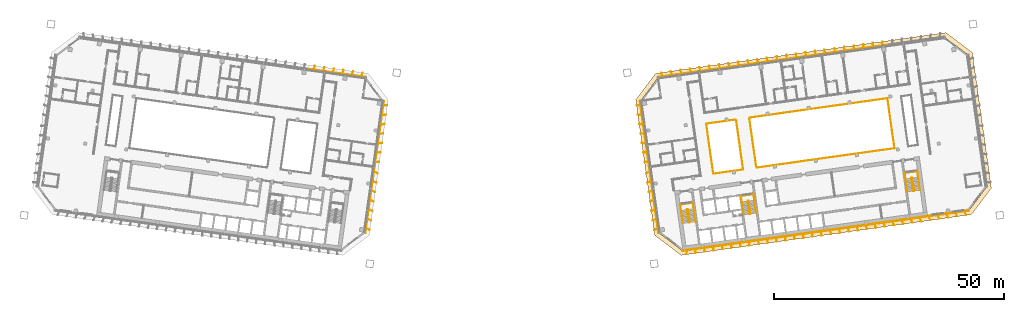
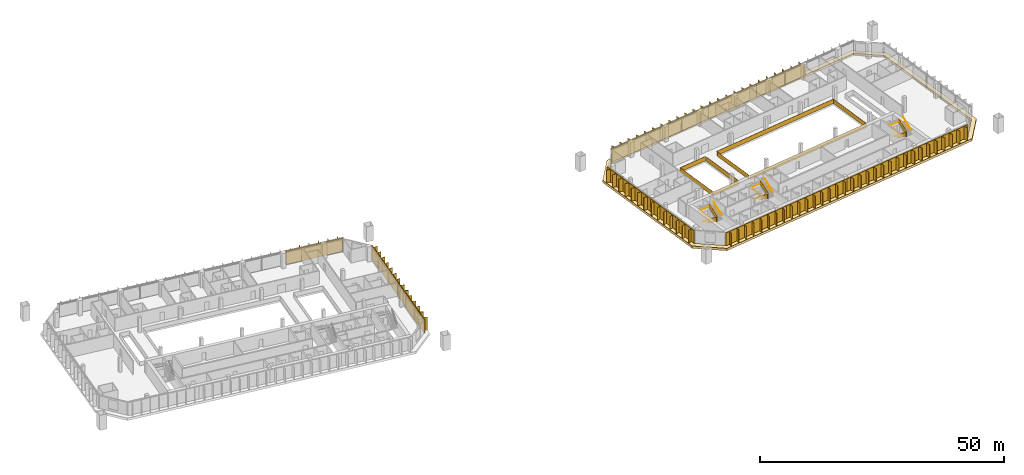
# One storey, part 24 of 25: 13 shading devices, 10 railings, 1 covering.
"""IFC4 building model written with IfcOpenShell, lengths in metres."""

from ifc_helpers import new_model, si_unit, direction, frame, origin, origin_2d, place, context, subcontext, project, spatial, polyline, rectangle, outline, extrude, material, layer, layer_set, type_object, element, save


model = new_model("IFC4")

# Units and contexts
model_context = context("Model", 3, precision=1e-05, world=origin(), true_north=direction((0.0, 1.0)))
body_context = subcontext(model_context, "Body", "Model", "MODEL_VIEW")
ifc_project = project(units=[si_unit("LENGTHUNIT", "METRE"), si_unit("AREAUNIT", "SQUARE_METRE"), si_unit("VOLUMEUNIT", "CUBIC_METRE"), si_unit("PLANEANGLEUNIT", "RADIAN"), si_unit("MASSUNIT", "GRAM", prefix="KILO")], contexts=[model_context])

# Site, building, storey
site_placement = place(None, origin())
site = spatial("IfcSite", under=ifc_project, at=site_placement, CompositionType="ELEMENT")
building_placement = place(site_placement, origin())
building = spatial("IfcBuilding", under=site, at=building_placement, Name="Mirante Cascada Hotel Towers", CompositionType="ELEMENT")
storey_placement = place(building_placement, frame((0.0, 0.0, 129.1)))
storey = spatial("IfcBuildingStorey", under=building, at=storey_placement, Name="L29", CompositionType="ELEMENT", Elevation=129.1)

# Railings
ifc_material_1 = material(Name="Toughened glass with stainless steel handrail", Category="steel")
railing_type_1 = type_object("IfcRailingType", Name="Atrium guard 1100 glass balustrade", PredefinedType="GUARDRAIL", material=ifc_material_1)
railing_1_placement = place(storey_placement, frame((48.76, 8.3112, 0.0)))
element("IfcRailing", 1, at=railing_1_placement, inside=storey, type_object=railing_type_1, Name="GUARD 2-L29-1", PredefinedType="GUARDRAIL", context=body_context, shape_type="SweptSolid", body=[
    extrude(rectangle(XDim=0.048, YDim=0.048, at=origin_2d()), frame((0.0, 0.0, 1.076), z_axis=(-0.9902694, -0.1391638, 0.0), x_axis=(0.1391638, -0.9902694, 0.0)), (0.0, 0.0, 1.0), 6.5125),
    extrude(rectangle(XDim=0.02, YDim=1.052, at=origin_2d()), frame((0.0, 0.0, 0.526), z_axis=(-0.9902694, -0.1391638, 0.0), x_axis=(0.1391638, -0.9902694, 0.0)), (0.0, 0.0, 1.0), 6.5125),
    extrude(rectangle(XDim=0.048, YDim=0.048, at=origin_2d()), frame((-6.4491, -0.9063, 1.076), z_axis=(0.1391721, -0.9902682, 0.0), x_axis=(0.9902682, 0.1391721, 0.0)), (0.0, 0.0, 1.0), 11.0001),
    extrude(rectangle(XDim=0.02, YDim=1.052, at=origin_2d()), frame((-6.4491, -0.9063, 0.526), z_axis=(0.1391721, -0.9902682, 0.0), x_axis=(0.9902682, 0.1391721, 0.0)), (0.0, 0.0, 1.0), 11.0001),
    extrude(rectangle(XDim=0.048, YDim=0.048, at=origin_2d()), frame((-4.9182, -11.7993, 1.076), z_axis=(0.9902673, 0.1391788, 0.0), x_axis=(-0.1391788, 0.9902673, 0.0)), (0.0, 0.0, 1.0), 6.5125),
    extrude(rectangle(XDim=0.02, YDim=1.052, at=origin_2d()), frame((-4.9182, -11.7993, 0.526), z_axis=(0.9902673, 0.1391788, 0.0), x_axis=(-0.1391788, 0.9902673, 0.0)), (0.0, 0.0, 1.0), 6.5125),
])
railing_2_placement = place(storey_placement, frame((53.2617, -2.1642, 0.0)))
element("IfcRailing", 2, at=railing_2_placement, inside=storey, type_object=railing_type_1, Name="GUARD 2-L29-2", PredefinedType="GUARDRAIL", context=body_context, shape_type="SweptSolid", body=[
    extrude(rectangle(XDim=0.048, YDim=0.048, at=origin_2d()), frame((0.0, 0.0, 1.076), z_axis=(0.9902682, 0.1391722, 0.0), x_axis=(-0.1391722, 0.9902682, 0.0)), (0.0, 0.0, 1.0), 30.325),
    extrude(rectangle(XDim=0.02, YDim=1.052, at=origin_2d()), frame((0.0, 0.0, 0.526), z_axis=(0.9902682, 0.1391722, 0.0), x_axis=(-0.1391722, 0.9902682, 0.0)), (0.0, 0.0, 1.0), 30.325),
    extrude(rectangle(XDim=0.048, YDim=0.048, at=origin_2d()), frame((30.0299, 4.2204, 1.076), z_axis=(-0.1391721, 0.9902682, 0.0), x_axis=(-0.9902682, -0.1391721, 0.0)), (0.0, 0.0, 1.0), 11.0001),
    extrude(rectangle(XDim=0.02, YDim=1.052, at=origin_2d()), frame((30.0299, 4.2204, 0.526), z_axis=(-0.1391721, 0.9902682, 0.0), x_axis=(-0.9902682, -0.1391721, 0.0)), (0.0, 0.0, 1.0), 11.0001),
    extrude(rectangle(XDim=0.048, YDim=0.048, at=origin_2d()), frame((28.499, 15.1134, 1.076), z_axis=(-0.9902682, -0.1391722, 0.0), x_axis=(0.1391722, -0.9902682, 0.0)), (0.0, 0.0, 1.0), 30.325),
    extrude(rectangle(XDim=0.02, YDim=1.052, at=origin_2d()), frame((28.499, 15.1134, 0.526), z_axis=(-0.9902682, -0.1391722, 0.0), x_axis=(0.1391722, -0.9902682, 0.0)), (0.0, 0.0, 1.0), 30.325),
])
railing_3_placement = place(storey_placement, frame((50.2983, -2.2822, 0.0)))
element("IfcRailing", 3, at=railing_3_placement, inside=storey, type_object=railing_type_1, Name="GUARD 2-L29-4", PredefinedType="GUARDRAIL", context=body_context, shape_type="SweptSolid", body=[
    extrude(rectangle(XDim=0.048, YDim=0.048, at=origin_2d()), frame((0.0, 0.0, 1.076), z_axis=(-0.1391708, 0.9902684, 0.0), x_axis=(-0.9902684, -0.1391708, 0.0)), (0.0, 0.0, 1.0), 10.4088),
    extrude(rectangle(XDim=0.02, YDim=1.052, at=origin_2d()), frame((0.0, 0.0, 0.526), z_axis=(-0.1391708, 0.9902684, 0.0), x_axis=(-0.9902684, -0.1391708, 0.0)), (0.0, 0.0, 1.0), 10.4088),
])
railing_4_placement = place(storey_placement, frame((51.7234, 8.4292, 0.0)))
element("IfcRailing", 4, at=railing_4_placement, inside=storey, type_object=railing_type_1, Name="GUARD 2-L29-5", PredefinedType="GUARDRAIL", context=body_context, shape_type="SweptSolid", body=[
    extrude(rectangle(XDim=0.048, YDim=0.048, at=origin_2d()), frame((0.0, 0.0, 1.076), z_axis=(0.1391721, -0.9902682, 0.0), x_axis=(0.9902682, 0.1391721, 0.0)), (0.0, 0.0, 1.0), 10.4087),
    extrude(rectangle(XDim=0.02, YDim=1.052, at=origin_2d()), frame((0.0, 0.0, 0.526), z_axis=(0.1391721, -0.9902682, 0.0), x_axis=(0.9902682, 0.1391721, 0.0)), (0.0, 0.0, 1.0), 10.4087),
])

# Covering
ifc_material_2 = material(Name="Precast concrete C40/50 white", Category="concrete")
ifc_layer = layer(ifc_material_2, 0.6)
ifc_layer_set = layer_set([ifc_layer], Name="Precast concrete SUNSHADE band 1000x600")
covering_type = type_object("IfcCoveringType", Name="Precast concrete SUNSHADE band 1000x600", PredefinedType="CLADDING", material=ifc_layer_set)
covering_placement = place(storey_placement, frame((0.0, 0.0, -0.45)))
element("IfcCovering", 5, at=covering_placement, inside=storey, type_object=covering_type, Name="Precast concrete SUNSHADE band T2 L29", PredefinedType="CLADDING", context=body_context, shape_type="SweptSolid", body=[
    extrude(outline(polyline([(26.9341, 12.6299), (31.2626, 18.374), (94.4698, 27.2572), (100.2139, 22.9287), (101.1216, 16.4704), (101.1153, 16.4458), (101.1082, 16.3992), (101.1057, 16.3522), (101.1078, 16.3051), (101.1302, 16.0686), (101.137, 16.022), (101.1482, 15.9763), (101.1639, 15.9319), (101.1839, 15.8892), (101.208, 15.8487), (101.2092, 15.8471), (103.37, 0.4721), (103.3693, 0.4703), (103.3573, 0.4247), (103.3499, 0.3782), (103.347, 0.3312), (103.3488, 0.2841), (103.3552, 0.2375), (103.3988, 0.004), (103.4097, -0.0419), (103.4251, -0.0864), (103.4447, -0.1292), (103.4576, -0.1512), (104.3652, -6.6094), (100.0367, -12.3535), (36.8295, -21.2367), (31.0854, -16.9082), (26.9341, 12.6299)]), holes=[polyline([(103.3173, -6.3384), (99.2813, 22.3794), (94.1988, 26.2093), (31.8119, 17.4414), (27.982, 12.3589), (32.018, -16.3589), (37.1005, -20.1888), (99.4874, -11.4209), (103.3173, -6.3384)])]), origin(), (0.0, 0.0, 1.0), 0.6),
])

# Railings
ifc_material_3 = material(Name="Painted steel", Category="steel")
railing_type_2 = type_object("IfcRailingType", Name="Stair guard 1100 steel balustrade", PredefinedType="GUARDRAIL", material=ifc_material_3)
railing_5_placement = place(storey_placement, frame((38.2663, -11.2395, 0.0)))
element("IfcRailing", 6, at=railing_5_placement, inside=storey, type_object=railing_type_2, Name="L29 ST2-A stair guard 1", PredefinedType="GUARDRAIL", context=body_context, shape_type="SweptSolid", body=[
    extrude(rectangle(XDim=0.048, YDim=0.048, at=origin_2d()), frame((0.0, 0.0, 1.076), z_axis=(-0.9903326, -0.1387133, 0.0), x_axis=(0.1387133, -0.9903326, 0.0)), (0.0, 0.0, 1.0), 0.1499),
    extrude(rectangle(XDim=0.02, YDim=1.052, at=origin_2d()), frame((0.0, 0.0, 0.526), z_axis=(-0.9903326, -0.1387133, 0.0), x_axis=(0.1387133, -0.9903326, 0.0)), (0.0, 0.0, 1.0), 0.1499),
    extrude(rectangle(XDim=0.048, YDim=0.048, at=origin_2d()), frame((-0.1485, -0.0208, 1.076), z_axis=(-0.6020331, -0.7984711, 0.0), x_axis=(0.7984711, -0.6020331, 0.0)), (0.0, 0.9253398, 0.3791387), 0.1866),
    extrude(rectangle(XDim=0.02, YDim=1.052, at=origin_2d()), frame((-0.1485, -0.0208, 0.526), z_axis=(-0.6020331, -0.7984711, 0.0), x_axis=(0.7984711, -0.6020331, 0.0)), (0.0, 0.9253398, 0.3791387), 0.1866),
    extrude(rectangle(XDim=0.048, YDim=0.048, at=origin_2d()), frame((-0.1911, -0.0773, 1.2487), z_axis=(0.139176, -0.9902677, 0.0), x_axis=(0.9902677, 0.139176, 0.0)), (0.0, 0.5250212, 0.8510891), 3.29),
    extrude(rectangle(XDim=0.02, YDim=1.052, at=origin_2d()), frame((-0.1911, -0.0773, 0.6987), z_axis=(0.139176, -0.9902677, 0.0), x_axis=(0.9902677, 0.139176, 0.0)), (0.0, 0.5250212, 0.8510891), 3.29),
    extrude(rectangle(XDim=0.048, YDim=0.048, at=origin_2d()), frame((0.1986, -2.8501, 2.976), z_axis=(0.9944948, -0.1047858, 0.0), x_axis=(0.1047858, 0.9944948, 0.0)), (0.0, 0.0, 1.0), 0.2061),
    extrude(rectangle(XDim=0.02, YDim=1.052, at=origin_2d()), frame((0.1986, -2.8501, 2.426), z_axis=(0.9944948, -0.1047858, 0.0), x_axis=(0.1047858, 0.9944948, 0.0)), (0.0, 0.0, 1.0), 0.2061),
    extrude(rectangle(XDim=0.048, YDim=0.048, at=origin_2d()), frame((0.4036, -2.8717, 2.976), z_axis=(-0.9902408, -0.1393672, 0.0), x_axis=(0.1393672, -0.9902408, 0.0)), (0.0, 0.0, 1.0), 0.15),
    extrude(rectangle(XDim=0.02, YDim=1.052, at=origin_2d()), frame((0.4036, -2.8717, 2.426), z_axis=(-0.9902408, -0.1393672, 0.0), x_axis=(0.1393672, -0.9902408, 0.0)), (0.0, 0.0, 1.0), 0.15),
    extrude(rectangle(XDim=0.048, YDim=0.048, at=origin_2d()), frame((0.2551, -2.8926, 2.976), z_axis=(0.9270311, 0.3749843, 0.0), x_axis=(-0.3749843, 0.9270311, 0.0)), (0.0, 0.6421903, 0.7665452), 0.2689),
    extrude(rectangle(XDim=0.02, YDim=1.052, at=origin_2d()), frame((0.2551, -2.8926, 2.426), z_axis=(0.9270311, 0.3749843, 0.0), x_axis=(-0.3749843, 0.9270311, 0.0)), (0.0, 0.6421903, 0.7665452), 0.2689),
    extrude(rectangle(XDim=0.048, YDim=0.048, at=origin_2d()), frame((0.4462, -2.8153, 3.1487), z_axis=(-0.139176, 0.9902677, 0.0), x_axis=(-0.9902677, -0.139176, 0.0)), (0.0, 0.5250212, 0.8510891), 3.29),
    extrude(rectangle(XDim=0.02, YDim=1.052, at=origin_2d()), frame((0.4462, -2.8153, 2.5987), z_axis=(-0.139176, 0.9902677, 0.0), x_axis=(-0.9902677, -0.139176, 0.0)), (0.0, 0.5250212, 0.8510891), 3.29),
])
railing_6_placement = place(storey_placement, frame((51.4864, -9.3815, 0.0)))
element("IfcRailing", 7, at=railing_6_placement, inside=storey, type_object=railing_type_2, Name="L29 ST2-B stair guard 1", PredefinedType="GUARDRAIL", context=body_context, shape_type="SweptSolid", body=[
    extrude(rectangle(XDim=0.048, YDim=0.048, at=origin_2d()), frame((0.0, 0.0, 1.076), z_axis=(-0.9902408, -0.1393672, 0.0), x_axis=(0.1393672, -0.9902408, 0.0)), (0.0, 0.0, 1.0), 0.15),
    extrude(rectangle(XDim=0.02, YDim=1.052, at=origin_2d()), frame((0.0, 0.0, 0.526), z_axis=(-0.9902408, -0.1393672, 0.0), x_axis=(0.1393672, -0.9902408, 0.0)), (0.0, 0.0, 1.0), 0.15),
    extrude(rectangle(XDim=0.048, YDim=0.048, at=origin_2d()), frame((-0.1485, -0.0209, 1.076), z_axis=(-0.6020331, -0.7984711, 0.0), x_axis=(0.7984711, -0.6020331, 0.0)), (0.0, 0.9253398, 0.3791387), 0.1866),
    extrude(rectangle(XDim=0.02, YDim=1.052, at=origin_2d()), frame((-0.1485, -0.0209, 0.526), z_axis=(-0.6020331, -0.7984711, 0.0), x_axis=(0.7984711, -0.6020331, 0.0)), (0.0, 0.9253398, 0.3791387), 0.1866),
    extrude(rectangle(XDim=0.048, YDim=0.048, at=origin_2d()), frame((-0.1911, -0.0774, 1.2487), z_axis=(0.139181, -0.990267, 0.0), x_axis=(0.990267, 0.139181, 0.0)), (0.0, 0.5250347, 0.8510808), 3.2899),
    extrude(rectangle(XDim=0.02, YDim=1.052, at=origin_2d()), frame((-0.1911, -0.0774, 0.6987), z_axis=(0.139181, -0.990267, 0.0), x_axis=(0.990267, 0.139181, 0.0)), (0.0, 0.5250347, 0.8510808), 3.2899),
    extrude(rectangle(XDim=0.048, YDim=0.048, at=origin_2d()), frame((0.1986, -2.8501, 2.976), z_axis=(0.9944441, -0.1052656, 0.0), x_axis=(0.1052656, 0.9944441, 0.0)), (0.0, 0.0, 1.0), 0.2061),
    extrude(rectangle(XDim=0.02, YDim=1.052, at=origin_2d()), frame((0.1986, -2.8501, 2.426), z_axis=(0.9944441, -0.1052656, 0.0), x_axis=(0.1052656, 0.9944441, 0.0)), (0.0, 0.0, 1.0), 0.2061),
    extrude(rectangle(XDim=0.048, YDim=0.048, at=origin_2d()), frame((0.4036, -2.8718, 2.976), z_axis=(-0.9902408, -0.1393672, 0.0), x_axis=(0.1393672, -0.9902408, 0.0)), (0.0, 0.0, 1.0), 0.15),
    extrude(rectangle(XDim=0.02, YDim=1.052, at=origin_2d()), frame((0.4036, -2.8718, 2.426), z_axis=(-0.9902408, -0.1393672, 0.0), x_axis=(0.1393672, -0.9902408, 0.0)), (0.0, 0.0, 1.0), 0.15),
    extrude(rectangle(XDim=0.048, YDim=0.048, at=origin_2d()), frame((0.2551, -2.8927, 2.976), z_axis=(0.9268624, 0.3754011, 0.0), x_axis=(-0.3754011, 0.9268624, 0.0)), (0.0, 0.6421217, 0.7666028), 0.269),
    extrude(rectangle(XDim=0.02, YDim=1.052, at=origin_2d()), frame((0.2551, -2.8927, 2.426), z_axis=(0.9268624, 0.3754011, 0.0), x_axis=(-0.3754011, 0.9268624, 0.0)), (0.0, 0.6421217, 0.7666028), 0.269),
    extrude(rectangle(XDim=0.048, YDim=0.048, at=origin_2d()), frame((0.4462, -2.8153, 3.1487), z_axis=(-0.139181, 0.990267, 0.0), x_axis=(-0.990267, -0.139181, 0.0)), (0.0, 0.5250347, 0.8510808), 3.2899),
    extrude(rectangle(XDim=0.02, YDim=1.052, at=origin_2d()), frame((0.4462, -2.8153, 2.5987), z_axis=(-0.139181, 0.990267, 0.0), x_axis=(-0.990267, -0.139181, 0.0)), (0.0, 0.5250347, 0.8510808), 3.2899),
])
railing_7_placement = place(storey_placement, frame((87.1361, -4.3713, 0.0)))
element("IfcRailing", 8, at=railing_7_placement, inside=storey, type_object=railing_type_2, Name="L29 ST2-C stair guard 1", PredefinedType="GUARDRAIL", context=body_context, shape_type="SweptSolid", body=[
    extrude(rectangle(XDim=0.048, YDim=0.048, at=origin_2d()), frame((0.0, 0.0, 1.076), z_axis=(-0.9902537, -0.1392753, 0.0), x_axis=(0.1392753, -0.9902537, 0.0)), (0.0, 0.0, 1.0), 0.1501),
    extrude(rectangle(XDim=0.02, YDim=1.052, at=origin_2d()), frame((0.0, 0.0, 0.526), z_axis=(-0.9902537, -0.1392753, 0.0), x_axis=(0.1392753, -0.9902537, 0.0)), (0.0, 0.0, 1.0), 0.1501),
    extrude(rectangle(XDim=0.048, YDim=0.048, at=origin_2d()), frame((-0.1486, -0.0209, 1.076), z_axis=(-0.601811, -0.7986386, 0.0), x_axis=(0.7986386, -0.601811, 0.0)), (0.0, 0.925603, 0.3784959), 0.1866),
    extrude(rectangle(XDim=0.02, YDim=1.052, at=origin_2d()), frame((-0.1486, -0.0209, 0.526), z_axis=(-0.601811, -0.7986386, 0.0), x_axis=(0.7986386, -0.601811, 0.0)), (0.0, 0.925603, 0.3784959), 0.1866),
    extrude(rectangle(XDim=0.048, YDim=0.048, at=origin_2d()), frame((-0.1911, -0.0773, 1.2487), z_axis=(0.139176, -0.9902677, 0.0), x_axis=(0.9902677, 0.139176, 0.0)), (0.0, 0.5250212, 0.8510891), 3.29),
    extrude(rectangle(XDim=0.02, YDim=1.052, at=origin_2d()), frame((-0.1911, -0.0773, 0.6987), z_axis=(0.139176, -0.9902677, 0.0), x_axis=(0.9902677, 0.139176, 0.0)), (0.0, 0.5250212, 0.8510891), 3.29),
    extrude(rectangle(XDim=0.048, YDim=0.048, at=origin_2d()), frame((0.1986, -2.8501, 2.976), z_axis=(0.9944441, -0.1052656, 0.0), x_axis=(0.1052656, 0.9944441, 0.0)), (0.0, 0.0, 1.0), 0.2061),
    extrude(rectangle(XDim=0.02, YDim=1.052, at=origin_2d()), frame((0.1986, -2.8501, 2.426), z_axis=(0.9944441, -0.1052656, 0.0), x_axis=(0.1052656, 0.9944441, 0.0)), (0.0, 0.0, 1.0), 0.2061),
    extrude(rectangle(XDim=0.048, YDim=0.048, at=origin_2d()), frame((0.4036, -2.8718, 2.976), z_axis=(-0.9903454, -0.1386217, 0.0), x_axis=(0.1386217, -0.9903454, 0.0)), (0.0, 0.0, 1.0), 0.15),
    extrude(rectangle(XDim=0.02, YDim=1.052, at=origin_2d()), frame((0.4036, -2.8718, 2.426), z_axis=(-0.9903454, -0.1386217, 0.0), x_axis=(0.1386217, -0.9903454, 0.0)), (0.0, 0.0, 1.0), 0.15),
    extrude(rectangle(XDim=0.048, YDim=0.048, at=origin_2d()), frame((0.255, -2.8926, 2.976), z_axis=(0.9270311, 0.3749843, 0.0), x_axis=(-0.3749843, 0.9270311, 0.0)), (0.0, 0.6421903, 0.7665452), 0.2689),
    extrude(rectangle(XDim=0.02, YDim=1.052, at=origin_2d()), frame((0.255, -2.8926, 2.426), z_axis=(0.9270311, 0.3749843, 0.0), x_axis=(-0.3749843, 0.9270311, 0.0)), (0.0, 0.6421903, 0.7665452), 0.2689),
    extrude(rectangle(XDim=0.048, YDim=0.048, at=origin_2d()), frame((0.4461, -2.8153, 3.1487), z_axis=(-0.139176, 0.9902677, 0.0), x_axis=(-0.9902677, -0.139176, 0.0)), (0.0, 0.5250212, 0.8510891), 3.29),
    extrude(rectangle(XDim=0.02, YDim=1.052, at=origin_2d()), frame((0.4461, -2.8153, 2.5987), z_axis=(-0.139176, 0.9902677, 0.0), x_axis=(-0.9902677, -0.139176, 0.0)), (0.0, 0.5250212, 0.8510891), 3.29),
])
ifc_material_4 = material(Name="Painted steel", Category="steel")
railing_type_3 = type_object("IfcRailingType", Name="Stair handrail 900 steel tube", PredefinedType="HANDRAIL", material=ifc_material_4)
railing_8_placement = place(storey_placement, frame((36.8374, -11.4908, 0.1727)))
element("IfcRailing", 9, at=railing_8_placement, inside=storey, type_object=railing_type_3, Name="L29 ST2-A stair handrail 1", PredefinedType="HANDRAIL", context=body_context, shape_type="SweptSolid", body=[
    extrude(rectangle(XDim=0.048, YDim=0.048, at=origin_2d()), frame((0.0, 0.0, 0.876), z_axis=(0.139181, -0.990267, 0.0), x_axis=(0.990267, 0.139181, 0.0)), (0.0, 0.5250347, 0.8510808), 3.2899),
    extrude(rectangle(XDim=0.048, YDim=0.048, at=origin_2d()), frame((0.3897, -2.7727, 2.6033), z_axis=(-0.1391707, 0.9902684, 0.0), x_axis=(-0.9902684, -0.1391707, 0.0)), (0.0, 0.0420846, 0.999114), 4.1036),
    extrude(rectangle(XDim=0.048, YDim=0.048, at=origin_2d()), frame((-0.1809, 1.2874, 2.776), z_axis=(0.9902691, 0.1391657, 0.0), x_axis=(-0.1391657, 0.9902691, 0.0)), (0.0, 0.0, 1.0), 2.75),
    extrude(rectangle(XDim=0.048, YDim=0.048, at=origin_2d()), frame((2.5423, 1.6701, 2.776), z_axis=(0.1391707, -0.9902684, 0.0), x_axis=(0.9902684, 0.1391707, 0.0)), (0.0, 0.0, 1.0), 4.1),
    extrude(rectangle(XDim=0.048, YDim=0.048, at=origin_2d()), frame((3.1129, -2.39, 2.776), z_axis=(-0.139181, 0.990267, 0.0), x_axis=(-0.990267, -0.139181, 0.0)), (0.0, 0.5250347, 0.8510808), 3.2899),
])
railing_9_placement = place(storey_placement, frame((50.0575, -9.6328, 0.1727)))
element("IfcRailing", 10, at=railing_9_placement, inside=storey, type_object=railing_type_3, Name="L29 ST2-B stair handrail 1", PredefinedType="HANDRAIL", context=body_context, shape_type="SweptSolid", body=[
    extrude(rectangle(XDim=0.048, YDim=0.048, at=origin_2d()), frame((0.0, 0.0, 0.876), z_axis=(0.139176, -0.9902677, 0.0), x_axis=(0.9902677, 0.139176, 0.0)), (0.0, 0.5250212, 0.8510891), 3.29),
    extrude(rectangle(XDim=0.048, YDim=0.048, at=origin_2d()), frame((0.3897, -2.7728, 2.6033), z_axis=(-0.1391707, 0.9902684, 0.0), x_axis=(-0.9902684, -0.1391707, 0.0)), (0.0, 0.0420846, 0.999114), 4.1036),
    extrude(rectangle(XDim=0.048, YDim=0.048, at=origin_2d()), frame((-0.1809, 1.2873, 2.776), z_axis=(0.9902641, 0.1392013, 0.0), x_axis=(-0.1392013, 0.9902641, 0.0)), (0.0, 0.0, 1.0), 2.75),
    extrude(rectangle(XDim=0.048, YDim=0.048, at=origin_2d()), frame((2.5423, 1.6701, 2.776), z_axis=(0.1391707, -0.9902684, 0.0), x_axis=(0.9902684, 0.1391707, 0.0)), (0.0, 0.0, 1.0), 4.1),
    extrude(rectangle(XDim=0.048, YDim=0.048, at=origin_2d()), frame((3.1129, -2.39, 2.776), z_axis=(-0.139181, 0.990267, 0.0), x_axis=(-0.990267, -0.139181, 0.0)), (0.0, 0.5250347, 0.8510808), 3.2899),
])
railing_10_placement = place(storey_placement, frame((85.7071, -4.6226, 0.1727)))
element("IfcRailing", 11, at=railing_10_placement, inside=storey, type_object=railing_type_3, Name="L29 ST2-C stair handrail 1", PredefinedType="HANDRAIL", context=body_context, shape_type="SweptSolid", body=[
    extrude(rectangle(XDim=0.048, YDim=0.048, at=origin_2d()), frame((0.0, 0.0, 0.876), z_axis=(0.139181, -0.990267, 0.0), x_axis=(0.990267, 0.139181, 0.0)), (0.0, 0.5250347, 0.8510808), 3.2899),
    extrude(rectangle(XDim=0.048, YDim=0.048, at=origin_2d()), frame((0.3897, -2.7727, 2.6033), z_axis=(-0.1391707, 0.9902684, 0.0), x_axis=(-0.9902684, -0.1391707, 0.0)), (0.0, 0.0420846, 0.999114), 4.1036),
    extrude(rectangle(XDim=0.048, YDim=0.048, at=origin_2d()), frame((-0.1809, 1.2874, 2.776), z_axis=(0.9902691, 0.1391657, 0.0), x_axis=(-0.1391657, 0.9902691, 0.0)), (0.0, 0.0, 1.0), 2.75),
    extrude(rectangle(XDim=0.048, YDim=0.048, at=origin_2d()), frame((2.5423, 1.6701, 2.776), z_axis=(0.1391947, -0.990265, 0.0), x_axis=(0.990265, 0.1391947, 0.0)), (0.0, 0.0, 1.0), 4.1),
    extrude(rectangle(XDim=0.048, YDim=0.048, at=origin_2d()), frame((3.113, -2.39, 2.776), z_axis=(-0.139181, 0.990267, 0.0), x_axis=(-0.990267, -0.139181, 0.0)), (0.0, 0.5250347, 0.8510808), 3.2899),
])

# Shading devices
ifc_material_5 = material(Name="White precast concrete C50/60 fin", Category="concrete")
shading_device_type = type_object("IfcShadingDeviceType", Name="Vertical fin set 4500x900", PredefinedType="USERDEFINED", material=ifc_material_5)
shading_device_1_placement = place(storey_placement, origin())
element("IfcShadingDevice", 12, at=shading_device_1_placement, inside=storey, type_object=shading_device_type, Name="FIN T1 L29 front 5", ObjectType="FIN", PredefinedType="USERDEFINED", context=body_context, shape_type="SweptSolid", body=[
    extrude(outline(polyline([(-32.4493, 18.4994), (-32.7765, 17.7284), (-31.791, 17.5899), (-31.8119, 17.4414), (-44.2893, 19.195), (-44.2684, 19.3435), (-43.2564, 19.2013), (-42.9208, 19.9919), (-42.8471, 19.9607), (-43.1744, 19.1897), (-41.1768, 18.909), (-40.8412, 19.6997), (-40.7676, 19.6684), (-41.0948, 18.8975), (-39.0973, 18.6167), (-38.7616, 19.4074), (-38.688, 19.3761), (-39.0152, 18.6052), (-37.0177, 18.3245), (-36.6821, 19.1151), (-36.6084, 19.0839), (-36.9357, 18.3129), (-34.9381, 18.0322), (-34.6025, 18.8229), (-34.5289, 18.7916), (-34.8561, 18.0207), (-32.8586, 17.7399), (-32.5229, 18.5306), (-32.4493, 18.4994)])), origin(), (0.0, 0.0, 1.0), 3.35),
])
shading_device_2_placement = place(storey_placement, origin())
element("IfcShadingDevice", 13, at=shading_device_2_placement, inside=storey, type_object=shading_device_type, Name="FIN T1 L29 inner 1", ObjectType="FIN", PredefinedType="USERDEFINED", context=body_context, shape_type="SweptSolid", body=[
    extrude(outline(polyline([(-29.7112, -1.023), (-29.8515, -2.0209), (-30.0, -2.0), (-27.982, 12.3589), (-27.8334, 12.338), (-27.97, 11.3667), (-27.1387, 11.4687), (-27.1289, 11.3893), (-27.9815, 11.2846), (-28.2583, 9.3154), (-27.427, 9.4174), (-27.4172, 9.338), (-28.2698, 9.2334), (-28.5465, 7.2641), (-27.7153, 7.3662), (-27.7055, 7.2868), (-28.5581, 7.1821), (-28.8348, 5.2128), (-28.0036, 5.3149), (-27.9938, 5.2355), (-28.8464, 5.1308), (-29.1231, 3.1616), (-28.2918, 3.2636), (-28.2821, 3.1842), (-29.1346, 3.0796), (-29.4114, 1.1103), (-28.5801, 1.2124), (-28.5704, 1.133), (-29.4229, 1.0283), (-29.6997, -0.941), (-28.8684, -0.8389), (-28.8587, -0.9183), (-29.7112, -1.023)])), origin(), (0.0, 0.0, 1.0), 3.35),
])
shading_device_3_placement = place(storey_placement, origin())
element("IfcShadingDevice", 14, at=shading_device_3_placement, inside=storey, type_object=shading_device_type, Name="FIN T1 L29 inner 2", ObjectType="FIN", PredefinedType="USERDEFINED", context=body_context, shape_type="SweptSolid", body=[
    extrude(outline(polyline([(-31.733, -15.4084), (-31.8695, -16.3798), (-32.018, -16.3589), (-30.0, -2.0), (-29.8515, -2.0209), (-29.9917, -3.0188), (-29.201, -3.3544), (-29.2323, -3.428), (-30.0032, -3.1008), (-30.28, -5.07), (-29.4893, -5.4057), (-29.5206, -5.4793), (-30.2915, -5.1521), (-30.5683, -7.1213), (-29.7776, -7.4569), (-29.8089, -7.5306), (-30.5798, -7.2033), (-30.8566, -9.1726), (-30.0659, -9.5082), (-30.0972, -9.5818), (-30.8681, -9.2546), (-31.1449, -11.2238), (-30.3542, -11.5595), (-30.3854, -11.6331), (-31.1564, -11.3059), (-31.4331, -13.2751), (-30.6425, -13.6107), (-30.6737, -13.6844), (-31.4447, -13.3571), (-31.7214, -15.3264), (-30.9308, -15.662), (-30.962, -15.7356), (-31.733, -15.4084)])), origin(), (0.0, 0.0, 1.0), 3.35),
])
shading_device_4_placement = place(storey_placement, origin())
element("IfcShadingDevice", 15, at=shading_device_4_placement, inside=storey, type_object=shading_device_type, Name="FIN T2 L29 front 2", ObjectType="FIN", PredefinedType="USERDEFINED", context=body_context, shape_type="SweptSolid", body=[
    extrude(outline(polyline([(70.3021, 23.8476), (70.3094, 23.0033), (72.3091, 23.2844), (72.3016, 24.1392), (72.3816, 24.1399), (72.389, 23.2956), (74.3886, 23.5766), (74.3812, 24.4314), (74.4612, 24.4321), (74.4686, 23.5878), (76.4682, 23.8689), (76.4608, 24.7237), (76.5407, 24.7244), (76.5481, 23.8801), (78.5478, 24.1611), (78.5403, 25.0159), (78.6203, 25.0166), (78.6277, 24.1724), (80.6273, 24.4534), (80.6199, 25.3082), (80.6999, 25.3089), (80.7072, 24.4646), (81.7006, 24.6042), (81.7214, 24.4557), (69.2441, 22.7021), (69.2232, 22.8507), (70.2295, 22.9921), (70.2221, 23.8469), (70.3021, 23.8476)])), origin(), (0.0, 0.0, 1.0), 3.35),
])
shading_device_5_placement = place(storey_placement, origin())
element("IfcShadingDevice", 16, at=shading_device_5_placement, inside=storey, type_object=shading_device_type, Name="FIN T2 L29 front 3", ObjectType="FIN", PredefinedType="USERDEFINED", context=body_context, shape_type="SweptSolid", body=[
    extrude(outline(polyline([(57.7069, 22.0905), (57.8252, 21.2488), (59.8255, 21.5299), (59.7072, 22.3716), (59.7865, 22.3828), (59.9048, 21.541), (61.9051, 21.8222), (61.7868, 22.6639), (61.866, 22.675), (61.9843, 21.8333), (63.9847, 22.1144), (63.8664, 22.9562), (63.9456, 22.9673), (64.0639, 22.1256), (66.0642, 22.4067), (65.9459, 23.2484), (66.0251, 23.2596), (66.1434, 22.4178), (68.1438, 22.699), (68.0255, 23.5407), (68.1047, 23.5518), (68.223, 22.7101), (69.2232, 22.8507), (69.2441, 22.7021), (56.7667, 20.9485), (56.7458, 21.0971), (57.746, 21.2376), (57.6277, 22.0794), (57.7069, 22.0905)])), origin(), (0.0, 0.0, 1.0), 3.35),
])
shading_device_6_placement = place(storey_placement, origin())
element("IfcShadingDevice", 17, at=shading_device_6_placement, inside=storey, type_object=shading_device_type, Name="FIN T2 L29 front 4", ObjectType="FIN", PredefinedType="USERDEFINED", context=body_context, shape_type="SweptSolid", body=[
    extrude(outline(polyline([(45.1132, 20.3181), (45.3416, 19.4943), (47.3413, 19.7754), (47.1157, 20.589), (47.1928, 20.6103), (47.4212, 19.7866), (49.4209, 20.0676), (49.1952, 20.8812), (49.2723, 20.9026), (49.5008, 20.0789), (51.5004, 20.3599), (51.2748, 21.1735), (51.3519, 21.1949), (51.5803, 20.3711), (53.58, 20.6521), (53.3544, 21.4657), (53.4314, 21.4871), (53.6599, 20.6634), (55.6595, 20.9444), (55.4339, 21.758), (55.511, 21.7794), (55.7394, 20.9556), (56.7458, 21.0971), (56.7667, 20.9485), (44.2893, 19.195), (44.2684, 19.3435), (45.2617, 19.4831), (45.0361, 20.2967), (45.1132, 20.3181)])), origin(), (0.0, 0.0, 1.0), 3.35),
])
shading_device_7_placement = place(storey_placement, origin())
element("IfcShadingDevice", 18, at=shading_device_7_placement, inside=storey, type_object=shading_device_type, Name="FIN T2 L29 front 5", ObjectType="FIN", PredefinedType="USERDEFINED", context=body_context, shape_type="SweptSolid", body=[
    extrude(outline(polyline([(32.5229, 18.5306), (32.8586, 17.7399), (34.8561, 18.0207), (34.5289, 18.7916), (34.6025, 18.8229), (34.9381, 18.0322), (36.9357, 18.3129), (36.6084, 19.0839), (36.6821, 19.1151), (37.0177, 18.3245), (39.0152, 18.6052), (38.688, 19.3761), (38.7616, 19.4074), (39.0973, 18.6167), (41.0948, 18.8975), (40.7676, 19.6684), (40.8412, 19.6997), (41.1768, 18.909), (43.1744, 19.1897), (42.8471, 19.9607), (42.9208, 19.9919), (43.2564, 19.2013), (44.2684, 19.3435), (44.2893, 19.195), (31.8119, 17.4414), (31.791, 17.5899), (32.7765, 17.7284), (32.4493, 18.4994), (32.5229, 18.5306)])), origin(), (0.0, 0.0, 1.0), 3.35),
])
shading_device_8_placement = place(storey_placement, origin())
element("IfcShadingDevice", 19, at=shading_device_8_placement, inside=storey, type_object=shading_device_type, Name="FIN T2 L29 inner 1", ObjectType="FIN", PredefinedType="USERDEFINED", context=body_context, shape_type="SweptSolid", body=[
    extrude(outline(polyline([(28.8684, -0.8389), (29.6997, -0.941), (29.4229, 1.0283), (28.5704, 1.133), (28.5801, 1.2124), (29.4114, 1.1103), (29.1346, 3.0796), (28.2821, 3.1842), (28.2918, 3.2636), (29.1231, 3.1616), (28.8464, 5.1308), (27.9938, 5.2355), (28.0036, 5.3149), (28.8348, 5.2128), (28.5581, 7.1821), (27.7055, 7.2868), (27.7153, 7.3662), (28.5465, 7.2641), (28.2698, 9.2334), (27.4172, 9.338), (27.427, 9.4174), (28.2583, 9.3154), (27.9815, 11.2846), (27.1289, 11.3893), (27.1387, 11.4687), (27.97, 11.3667), (27.8334, 12.338), (27.982, 12.3589), (30.0, -2.0), (29.8515, -2.0209), (29.7112, -1.023), (28.8587, -0.9183), (28.8684, -0.8389)])), origin(), (0.0, 0.0, 1.0), 3.35),
])
shading_device_9_placement = place(storey_placement, origin())
element("IfcShadingDevice", 20, at=shading_device_9_placement, inside=storey, type_object=shading_device_type, Name="FIN T2 L29 inner 2", ObjectType="FIN", PredefinedType="USERDEFINED", context=body_context, shape_type="SweptSolid", body=[
    extrude(outline(polyline([(30.9308, -15.662), (31.7214, -15.3264), (31.4447, -13.3571), (30.6737, -13.6844), (30.6425, -13.6107), (31.4331, -13.2751), (31.1564, -11.3059), (30.3854, -11.6331), (30.3542, -11.5595), (31.1449, -11.2238), (30.8681, -9.2546), (30.0972, -9.5818), (30.0659, -9.5082), (30.8566, -9.1726), (30.5798, -7.2033), (29.8089, -7.5306), (29.7776, -7.4569), (30.5683, -7.1213), (30.2915, -5.1521), (29.5206, -5.4793), (29.4893, -5.4057), (30.28, -5.07), (30.0032, -3.1008), (29.2323, -3.428), (29.201, -3.3544), (29.9917, -3.0188), (29.8515, -2.0209), (30.0, -2.0), (32.018, -16.3589), (31.8695, -16.3798), (31.733, -15.4084), (30.962, -15.7356), (30.9308, -15.662)])), origin(), (0.0, 0.0, 1.0), 3.35),
])
shading_device_10_placement = place(storey_placement, origin())
element("IfcShadingDevice", 21, at=shading_device_10_placement, inside=storey, type_object=shading_device_type, Name="FIN T2 L29 rear 1", ObjectType="FIN", PredefinedType="USERDEFINED", context=body_context, shape_type="SweptSolid", body=[
    extrude(outline(polyline([(37.9398, -21.0393), (38.0419, -20.208), (37.1214, -20.3374), (37.1005, -20.1888), (52.6972, -17.9968), (52.7181, -18.1454), (51.771, -18.2785), (51.6664, -19.131), (51.587, -19.1213), (51.689, -18.29), (49.8214, -18.5525), (49.7168, -19.405), (49.6374, -19.3953), (49.7394, -18.564), (47.8719, -18.8265), (47.7672, -19.679), (47.6878, -19.6693), (47.7898, -18.838), (45.9223, -19.1005), (45.8176, -19.953), (45.7382, -19.9433), (45.8403, -19.112), (43.9727, -19.3745), (43.868, -20.227), (43.7886, -20.2173), (43.8907, -19.386), (42.0231, -19.6485), (41.9184, -20.501), (41.839, -20.4913), (41.9411, -19.66), (40.0735, -19.9225), (39.9688, -20.775), (39.8894, -20.7653), (39.9915, -19.934), (38.1239, -20.1965), (38.0192, -21.049), (37.9398, -21.0393)])), origin(), (0.0, 0.0, 1.0), 3.35),
])
shading_device_11_placement = place(storey_placement, origin())
element("IfcShadingDevice", 22, at=shading_device_11_placement, inside=storey, type_object=shading_device_type, Name="FIN T2 L29 rear 2", ObjectType="FIN", PredefinedType="USERDEFINED", context=body_context, shape_type="SweptSolid", body=[
    extrude(outline(polyline([(53.6931, -18.8597), (53.6488, -18.0146), (52.7181, -18.1454), (52.6972, -17.9968), (68.2939, -15.8049), (68.3148, -15.9534), (67.3755, -16.0854), (67.4201, -16.9376), (67.3402, -16.9417), (67.2959, -16.0966), (65.4259, -16.3594), (65.4705, -17.2116), (65.3906, -17.2157), (65.3463, -16.3706), (63.4763, -16.6334), (63.5209, -17.4856), (63.441, -17.4897), (63.3967, -16.6446), (61.5267, -16.9074), (61.5713, -17.7596), (61.4914, -17.7637), (61.4472, -16.9186), (59.5771, -17.1814), (59.6217, -18.0335), (59.5419, -18.0377), (59.4976, -17.1926), (57.6275, -17.4554), (57.6722, -18.3075), (57.5923, -18.3117), (57.548, -17.4666), (55.6779, -17.7294), (55.7226, -18.5815), (55.6427, -18.5857), (55.5984, -17.7406), (53.7283, -18.0034), (53.773, -18.8555), (53.6931, -18.8597)])), origin(), (0.0, 0.0, 1.0), 3.35),
])
shading_device_12_placement = place(storey_placement, origin())
element("IfcShadingDevice", 23, at=shading_device_12_placement, inside=storey, type_object=shading_device_type, Name="FIN T2 L29 rear 3", ObjectType="FIN", PredefinedType="USERDEFINED", context=body_context, shape_type="SweptSolid", body=[
    extrude(outline(polyline([(69.4461, -16.6528), (69.2542, -15.8214), (68.3148, -15.9534), (68.2939, -15.8049), (83.8907, -13.6129), (83.9115, -13.7614), (82.9808, -13.8922), (83.1712, -14.7168), (83.0933, -14.7348), (82.9013, -13.9034), (81.0312, -14.1662), (81.2216, -14.9908), (81.1437, -15.0088), (80.9517, -14.1774), (79.0817, -14.4402), (79.272, -15.2648), (79.1941, -15.2828), (79.0021, -14.4514), (77.1321, -14.7142), (77.3224, -15.5388), (77.2445, -15.5568), (77.0525, -14.7254), (75.1825, -14.9882), (75.3729, -15.8128), (75.2949, -15.8308), (75.103, -14.9994), (73.2329, -15.2622), (73.4233, -16.0868), (73.3453, -16.1048), (73.1534, -15.2734), (71.2833, -15.5362), (71.4737, -16.3608), (71.3957, -16.3788), (71.2038, -15.5474), (69.3337, -15.8102), (69.5241, -16.6348), (69.4461, -16.6528)])), origin(), (0.0, 0.0, 1.0), 3.35),
])
shading_device_13_placement = place(storey_placement, origin())
element("IfcShadingDevice", 24, at=shading_device_13_placement, inside=storey, type_object=shading_device_type, Name="FIN T2 L29 rear 4", ObjectType="FIN", PredefinedType="USERDEFINED", context=body_context, shape_type="SweptSolid", body=[
    extrude(outline(polyline([(85.1942, -14.419), (84.8586, -13.6283), (83.9115, -13.7614), (83.8907, -13.6129), (99.4874, -11.4209), (99.5083, -11.5694), (98.5877, -11.6988), (98.915, -12.4698), (98.8413, -12.501), (98.5057, -11.7103), (96.6381, -11.9728), (96.9654, -12.7438), (96.8918, -12.775), (96.5561, -11.9843), (94.6886, -12.2468), (95.0158, -13.0178), (94.9422, -13.049), (94.6065, -12.2583), (92.739, -12.5208), (93.0662, -13.2918), (92.9926, -13.323), (92.657, -12.5323), (90.7894, -12.7948), (91.1166, -13.5657), (91.043, -13.597), (90.7074, -12.8063), (88.8398, -13.0688), (89.167, -13.8397), (89.0934, -13.871), (88.7578, -13.0803), (86.8902, -13.3428), (87.2174, -14.1137), (87.1438, -14.145), (86.8082, -13.3543), (84.9406, -13.6168), (85.2679, -14.3877), (85.1942, -14.419)])), origin(), (0.0, 0.0, 1.0), 3.35),
])

save(model, "model.ifc")
